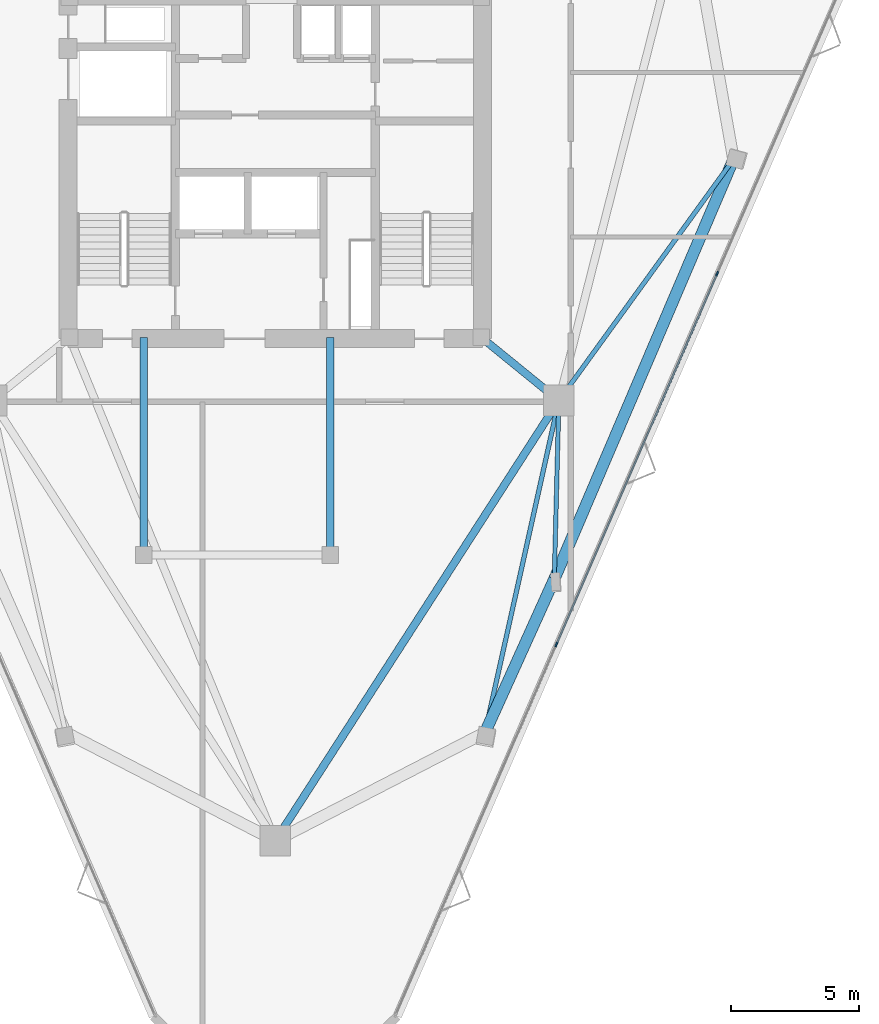
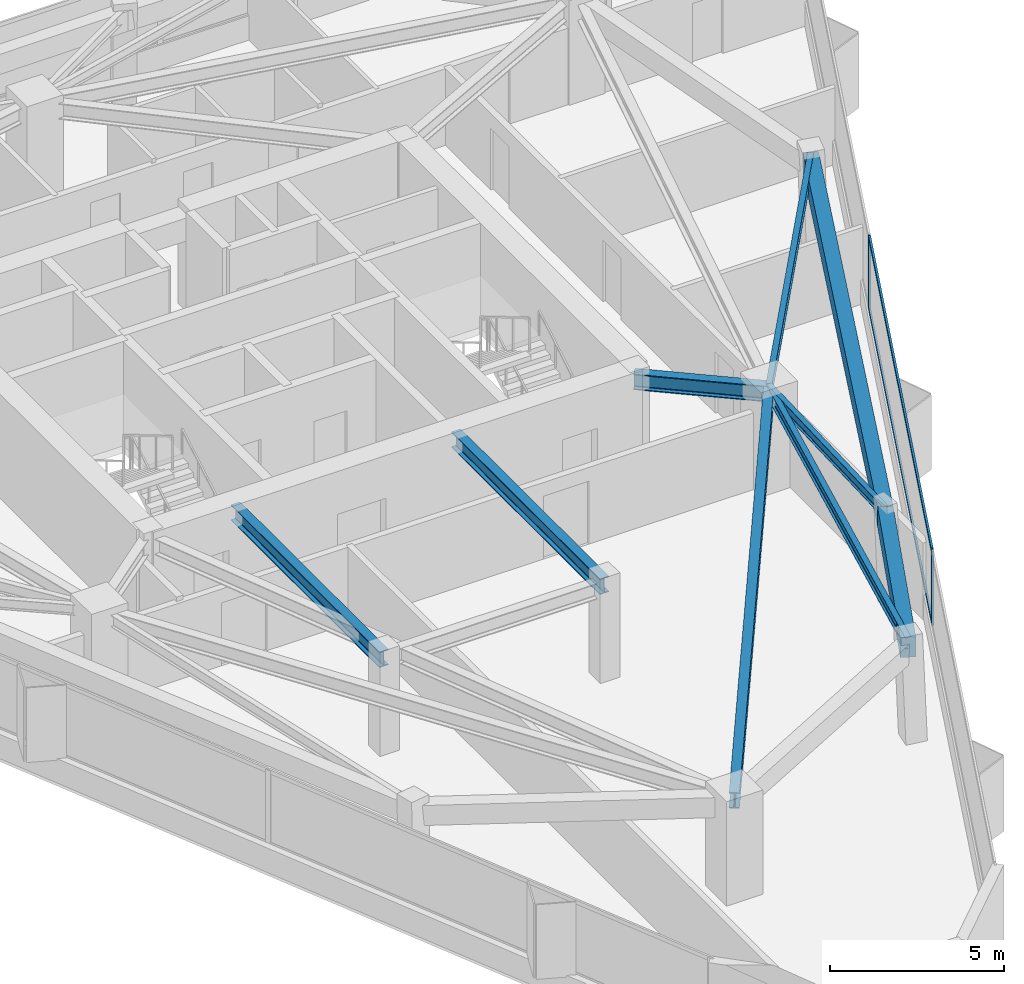
# One storey, part 4 of 11: 9 beams, 4 members, 1 element without a shape of its own.
"""IFC4 building model written with IfcOpenShell, lengths in metres."""

import ifcopenshell
import ifcopenshell.guid

model = None  # the IFC model being written
_history = None  # IfcOwnerHistory: only IFC2X3 demands one
_inside = {}  # id of a spatial element -> (the spatial element, [elements in it])
_under = {}  # id of a project, library or spatial element -> (it, [spatial elements below it])
_declared = {}  # id of a project -> (the project, [libraries it declares])
_typed = {}  # id of a type object -> (the type object, [elements of that type])
_made_of = {}  # id of a material, layer set ... -> (it, [elements and type objects made of it])


def new_model(schema):
    """Start an empty IFC model of exactly this schema.

    Asked for "IFC4X3", IfcOpenShell would pick the latest addendum, in which some entities
    have other attributes; the version numbers below select the first issue.
    IFC2X3 requires an IfcOwnerHistory on every rooted entity: one is made here for all.
    """
    global model, _history
    if schema == "IFC4X3":
        model = ifcopenshell.file(schema_version=(4, 3, 0, 0))
    else:
        model = ifcopenshell.file(schema=schema)
    _inside.clear()
    _under.clear()
    _declared.clear()
    _typed.clear()
    _made_of.clear()
    _history = None
    if model.schema == "IFC2X3":
        org = make("IfcOrganization", Name="unknown")
        user = make(
            "IfcPersonAndOrganization",
            ThePerson=make("IfcPerson", FamilyName="unknown"),
            TheOrganization=org,
        )
        app = make(
            "IfcApplication",
            ApplicationDeveloper=org,
            Version="unknown",
            ApplicationFullName="unknown",
            ApplicationIdentifier="unknown",
        )
        _history = make(
            "IfcOwnerHistory",
            OwningUser=user,
            OwningApplication=app,
            ChangeAction="ADDED",
            CreationDate=0,
        )
    return model


def make(cls, **values):
    """One entity of the class cls with the attributes given. An attribute that is None is left unset."""
    return model.create_entity(
        cls, **{name: value for name, value in values.items() if value is not None}
    )


def rooted(cls, **values):
    """An entity with a GlobalId (a new one), such as an element, a storey or a relation."""
    return make(cls, GlobalId=ifcopenshell.guid.new(), OwnerHistory=_history, **values)


def si_unit(unit_type, name, prefix=None):
    """IfcSIUnit, for example si_unit("LENGTHUNIT", "METRE", prefix="MILLI")."""
    return make("IfcSIUnit", UnitType=unit_type, Prefix=prefix, Name=name)


def assignment(units):
    """IfcUnitAssignment: the units of a project."""
    return None if units is None else make("IfcUnitAssignment", Units=units)


def point(xyz):
    """IfcCartesianPoint."""
    return None if xyz is None else make("IfcCartesianPoint", Coordinates=xyz)


def direction(xyz):
    """IfcDirection."""
    return None if xyz is None else make("IfcDirection", DirectionRatios=xyz)


def frame(location, z_axis=None, x_axis=None):
    """IfcAxis2Placement3D, a coordinate frame: its origin and axes. An axis left out is left unset."""
    return make(
        "IfcAxis2Placement3D",
        Location=point(location),
        Axis=direction(z_axis),
        RefDirection=direction(x_axis),
    )


def frame_2d(location, x_axis=None):
    """IfcAxis2Placement2D, a coordinate frame in the plane: its origin and x axis."""
    return make(
        "IfcAxis2Placement2D", Location=point(location), RefDirection=direction(x_axis)
    )


def origin():
    """The frame at (0, 0, 0) with its axes left unset."""
    return frame((0.0, 0.0, 0.0))


def origin_2d():
    """The frame at (0, 0) in the plane with its x axis left unset."""
    return frame_2d((0.0, 0.0))


def place(relative_to, where):
    """IfcLocalPlacement: puts the frame where relative to a parent placement (None: the world)."""
    return make(
        "IfcLocalPlacement", PlacementRelTo=relative_to, RelativePlacement=where
    )


def context(
    kind, dimensions, precision=None, world=None, true_north=None, identifier=None
):
    """IfcGeometricRepresentationContext, for example the 3D "Model" context."""
    return make(
        "IfcGeometricRepresentationContext",
        ContextIdentifier=identifier,
        ContextType=kind,
        CoordinateSpaceDimension=dimensions,
        Precision=precision,
        WorldCoordinateSystem=world,
        TrueNorth=true_north,
    )


def subcontext(parent, identifier, kind, view, scale=None):
    """IfcGeometricRepresentationSubContext, for example "Body" below "Model"."""
    return make(
        "IfcGeometricRepresentationSubContext",
        ContextIdentifier=identifier,
        ContextType=kind,
        ParentContext=parent,
        TargetScale=scale,
        TargetView=view,
    )


def project(units=None, contexts=None):
    """IfcProject with its units and contexts."""
    return rooted(
        "IfcProject",
        Name="project",
        RepresentationContexts=contexts,
        UnitsInContext=assignment(units),
    )


def spatial(cls, under=None, at=None, **own):
    """A site, building, storey or space (cls), placed at a placement, below another one or the project."""
    s = rooted(cls, ObjectPlacement=at, **own)
    if under is not None:
        _under.setdefault(under.id(), (under, []))[1].append(s)
    return s


def profile(cls, at=None, kind="AREA", **sizes):
    """A parametric profile (cls). Its sizes go by their IFC names, for example OverallWidth=200.0."""
    return make(cls, ProfileType=kind, Position=at, **sizes)


def rectangle(**sizes):
    """IfcRectangleProfileDef."""
    return profile("IfcRectangleProfileDef", **sizes)


def i_section(**sizes):
    """IfcIShapeProfileDef."""
    return profile("IfcIShapeProfileDef", **sizes)


def extrude(swept, where, along, depth):
    """IfcExtrudedAreaSolid: the profile swept, set in the frame where, extruded along a direction by depth."""
    return make(
        "IfcExtrudedAreaSolid",
        SweptArea=swept,
        Position=where,
        ExtrudedDirection=direction(along),
        Depth=depth,
    )


def shape(context_of_items, identifier, shape_type, items):
    """IfcShapeRepresentation: the items that make up one representation, for example the "Body"."""
    return make(
        "IfcShapeRepresentation",
        ContextOfItems=context_of_items,
        RepresentationIdentifier=identifier,
        RepresentationType=shape_type,
        Items=items,
    )


def material(Name=None, Category=None):
    """IfcMaterial."""
    return make("IfcMaterial", Name=Name, Category=Category)


def layer(
    of_material, thickness, ventilated=None, Name=None, Category=None, Priority=None
):
    """IfcMaterialLayer: one layer of a wall or slab, of a material (None: an air gap)."""
    return make(
        "IfcMaterialLayer",
        Material=of_material,
        LayerThickness=thickness,
        IsVentilated=ventilated,
        Name=Name,
        Category=Category,
        Priority=Priority,
    )


def layer_set(layers, Name=None):
    """IfcMaterialLayerSet."""
    return make("IfcMaterialLayerSet", MaterialLayers=layers, LayerSetName=Name)


def material_profile(
    of_material, cross_section, Name=None, Category=None, Priority=None
):
    """IfcMaterialProfile: a cross section and its material."""
    return make(
        "IfcMaterialProfile",
        Name=Name,
        Material=of_material,
        Profile=cross_section,
        Priority=Priority,
        Category=Category,
    )


def profile_set(profiles, Name=None, composite=None):
    """IfcMaterialProfileSet."""
    return make(
        "IfcMaterialProfileSet",
        Name=Name,
        MaterialProfiles=profiles,
        CompositeProfile=composite,
    )


def made_of(thing, what):
    """Note that an element or type object is made of a material, layer set ...; save() writes the relation."""
    if what is not None:
        _made_of.setdefault(what.id(), (what, []))[1].append(thing)
    return thing


def type_object(cls, material=None, **own):
    """A type object (cls), such as IfcWallType, which elements share."""
    return made_of(rooted(cls, **own), material)


def element(
    cls,
    number,
    at=None,
    inside=None,
    cuts=None,
    type_object=None,
    material=None,
    context=None,
    identifier="Body",
    shape_type=None,
    held_by="IfcProductDefinitionShape",
    body=None,
    shapes=None,
    **own,
):
    """One element of the class cls, such as IfcWall. Its Tag is "e" and its number.

    at: its placement. inside: the storey or other place that contains it. cuts: it is an
    opening in that element (IfcRelVoidsElement). A single representation is given by context,
    identifier, shape_type and body (its items); several are given by shapes. held_by: the class
    of the entity that holds the representations. save() writes the other relations.
    """
    e = rooted(cls, Tag="e%d" % number, ObjectPlacement=at, **own)
    if body is not None:
        shapes = [shape(context, identifier, shape_type, body)]
    if shapes is not None:
        e.Representation = make(held_by, Representations=shapes)
    if inside is not None:
        _inside.setdefault(inside.id(), (inside, []))[1].append(e)
    if cuts is not None:
        rooted(
            "IfcRelVoidsElement", RelatingBuildingElement=cuts, RelatedOpeningElement=e
        )
    if type_object is not None:
        _typed.setdefault(type_object.id(), (type_object, []))[1].append(e)
    return made_of(e, material)


def aggregate(whole, parts):
    """IfcRelAggregates: a whole, such as a stair, and the parts it consists of."""
    return rooted("IfcRelAggregates", RelatingObject=whole, RelatedObjects=parts)


def save(model, path):
    """Write the relations noted so far, then the file.

    IfcRelAggregates (storeys below a building ...), IfcRelContainedInSpatialStructure (elements
    in a storey), IfcRelDefinesByType, IfcRelAssociatesMaterial and IfcRelDeclares: one each for
    every whole, place, type object, material and project.
    """
    for whole, parts in _under.values():
        aggregate(whole, parts)
    for where, things in _inside.values():
        rooted(
            "IfcRelContainedInSpatialStructure",
            RelatedElements=things,
            RelatingStructure=where,
        )
    for kind, things in _typed.values():
        rooted("IfcRelDefinesByType", RelatedObjects=things, RelatingType=kind)
    for what, things in _made_of.values():
        rooted("IfcRelAssociatesMaterial", RelatedObjects=things, RelatingMaterial=what)
    for by, libraries in _declared.values():
        rooted("IfcRelDeclares", RelatingContext=by, RelatedDefinitions=libraries)
    model.write(path)


model = new_model("IFC4")

# Units and contexts
model_context = context("Model", 3, precision=1e-05, world=origin(), true_north=direction((0.0, 1.0)))
body_context = subcontext(model_context, "Body", "Model", "MODEL_VIEW")
ifc_project = project(units=[si_unit("LENGTHUNIT", "METRE"), si_unit("AREAUNIT", "SQUARE_METRE"), si_unit("VOLUMEUNIT", "CUBIC_METRE"), si_unit("PLANEANGLEUNIT", "RADIAN"), si_unit("MASSUNIT", "GRAM", prefix="KILO")], contexts=[model_context])

# Site, building, storey
site_placement = place(None, origin())
site = spatial("IfcSite", under=ifc_project, at=site_placement, CompositionType="ELEMENT")
building_placement = place(site_placement, origin())
building = spatial("IfcBuilding", under=site, at=building_placement, Name="Talyreon Biosciences Tower", CompositionType="ELEMENT")
storey_placement = place(building_placement, frame((0.0, 0.0, 238.89990234375)))
storey = spatial("IfcBuildingStorey", under=building, at=storey_placement, Name="L63", CompositionType="ELEMENT", Elevation=238.89990234375)

# Curtain wall, members
ifc_material_1 = material(Name="Thermally broken aluminium and low-E glazing", Category="aluminium")
ifc_layer = layer(ifc_material_1, 0.175048828125)
ifc_layer_set = layer_set([ifc_layer], Name="Thermally broken aluminium and low-E glazing")
curtain_wall_type = type_object("IfcCurtainWallType", Name="CurtainWall_Zone5CompLab", PredefinedType="NOTDEFINED", material=ifc_layer_set)
curtain_wall_placement = place(storey_placement, origin())
curtain_wall = element("IfcCurtainWall", 1, at=curtain_wall_placement, inside=storey, type_object=curtain_wall_type, Name="L63 Unitised Curtain Wall FCW-L63-08", PredefinedType="NOTDEFINED")
ifc_material_2 = material(Name="Anodised thermally broken aluminium", Category="aluminium")
ifc_material_profile_1 = material_profile(ifc_material_2, rectangle(XDim=0.06494140625, YDim=0.179931640625, at=origin_2d()), Name="ALUM MULLION 65x180")
ifc_profile_set_1 = profile_set([ifc_material_profile_1], Name="Anodised thermally broken aluminium")
member_type_1 = type_object("IfcMemberType", Name="CWMullion_65x180", PredefinedType="MULLION", material=ifc_profile_set_1)
member_1_placement = place(storey_placement, frame((83.27685546875, 63.8427734375, 0.81005859375), z_axis=(0.0, 0.0, 1.0), x_axis=(0.917458244079, -0.397832088162, 0.0)))
member_1 = element("IfcMember", 2, at=member_1_placement, type_object=member_type_1, Name="CW6 mullion 2", PredefinedType="MULLION", context=body_context, shape_type="SweptSolid", body=[
    extrude(rectangle(XDim=0.06494140625, YDim=0.179931640625, at=origin_2d()), origin(), (0.0, 0.0, 1.0), 2.590087890625),
])
member_2_placement = place(storey_placement, frame((76.987060546875, 49.337646484375, 0.81005859375), z_axis=(0.0, 0.0, 1.0), x_axis=(0.917458244079, -0.397832088162, 0.0)))
member_2 = element("IfcMember", 3, at=member_2_placement, type_object=member_type_1, Name="CW6 mullion 3", PredefinedType="MULLION", context=body_context, shape_type="SweptSolid", body=[
    extrude(rectangle(XDim=0.06494140625, YDim=0.179931640625, at=origin_2d()), origin(), (0.0, 0.0, 1.0), 2.590087890625),
])
ifc_material_profile_2 = material_profile(ifc_material_2, rectangle(XDim=0.06494140625, YDim=0.139892578125, at=origin_2d()), Name="ALUM TRANSOM 65x140")
ifc_profile_set_2 = profile_set([ifc_material_profile_2], Name="Anodised thermally broken aluminium")
member_type_2 = type_object("IfcMemberType", Name="CWTransom_65x140", PredefinedType="USERDEFINED", material=ifc_profile_set_2)
member_3_placement = place(storey_placement, frame((83.263916015625, 63.81298828125, 0.842529296875), z_axis=(-0.397830656241, -0.917458864993, 0.0), x_axis=(0.917458864993, -0.397830656241, 0.0)))
member_3 = element("IfcMember", 4, at=member_3_placement, type_object=member_type_2, Name="CW6 transom 2.1", ObjectType="TRANSOM", PredefinedType="USERDEFINED", context=body_context, shape_type="SweptSolid", body=[
    extrude(rectangle(XDim=0.06494140625, YDim=0.139892578125, at=origin_2d()), origin(), (0.0, 0.0, 1.0), 15.7451171875),
])
member_4_placement = place(storey_placement, frame((83.263916015625, 63.81298828125, 3.36767578125), z_axis=(-0.397830656241, -0.917458864993, 0.0), x_axis=(0.917458864993, -0.397830656241, 0.0)))
member_4 = element("IfcMember", 5, at=member_4_placement, type_object=member_type_2, Name="CW6 transom 2.2", ObjectType="TRANSOM", PredefinedType="USERDEFINED", context=body_context, shape_type="SweptSolid", body=[
    extrude(rectangle(XDim=0.06494140625, YDim=0.139892578125, at=origin_2d()), origin(), (0.0, 0.0, 1.0), 15.7451171875),
])
aggregate(curtain_wall, [member_1, member_2, member_3, member_4])

# Beams
ifc_material_3 = material(Name="Precast concrete C45/55", Category="concrete")
ifc_material_profile_3 = material_profile(ifc_material_3, rectangle(XDim=0.449951171875, YDim=0.699951171875, at=origin_2d()), Name="RCB 450x700")
ifc_profile_set_3 = profile_set([ifc_material_profile_3], Name="Precast concrete C45/55")
beam_type_1 = type_object("IfcBeamType", Name="ExpressedSpandrel_450x700", PredefinedType="SPANDREL", material=ifc_profile_set_3)
beam_1_placement = place(storey_placement, frame((74.19921875, 45.90087890625, 3.050048828125), z_axis=(0.411628498282, 0.911351731991, 0.0), x_axis=(-0.911351731991, 0.411628498282, 0.0)))
element("IfcBeam", 6, at=beam_1_placement, inside=storey, type_object=beam_type_1, Name="L63 Expressed Horizontal Concrete Spandrel 02", PredefinedType="SPANDREL", context=body_context, shape_type="SweptSolid", body=[
    extrude(rectangle(XDim=0.449951171875, YDim=0.699951171875, at=origin_2d()), origin(), (0.0, 0.0, 1.0), 6.576416015625),
])
beam_2_placement = place(storey_placement, frame((76.90625, 51.894287109375, 3.050048828125), z_axis=(0.392596523962, 0.919710807468, 0.0), x_axis=(-0.919710807468, 0.392596523962, 0.0)))
element("IfcBeam", 7, at=beam_2_placement, inside=storey, type_object=beam_type_1, Name="L63 Expressed Horizontal Concrete Spandrel 03", PredefinedType="SPANDREL", context=body_context, shape_type="SweptSolid", body=[
    extrude(rectangle(XDim=0.449951171875, YDim=0.699951171875, at=origin_2d()), origin(), (0.0, 0.0, 1.0), 17.84814453125),
])
ifc_material_4 = material(Name="Steel SM355", Category="steel")
ifc_material_profile_4 = material_profile(ifc_material_4, i_section(OverallWidth=0.300048828125, OverallDepth=0.550048828125, WebThickness=0.014892578125, FlangeThickness=0.029052734375, FilletRadius=0.027099609375, at=origin_2d()), Name="HE550B")
ifc_profile_set_4 = profile_set([ifc_material_profile_4], Name="Steel SM355")
beam_type_2 = type_object("IfcBeamType", Name="SteelBeam_HE550B", PredefinedType="BEAM", material=ifc_profile_set_4)
beam_3_placement = place(storey_placement, frame((66.0, 41.6669921875, 3.125), z_axis=(0.541463723609, 0.840724114092, 0.0), x_axis=(-0.840724114092, 0.541463723609, 0.0)))
element("IfcBeam", 8, at=beam_3_placement, inside=storey, type_object=beam_type_2, Name="L63 Mega-Ring Girder 1", PredefinedType="BEAM", context=body_context, shape_type="SweptSolid", body=[
    extrude(i_section(OverallWidth=0.300048828125, OverallDepth=0.550048828125, WebThickness=0.014892578125, FlangeThickness=0.029052734375, FilletRadius=0.027099609375, at=origin_2d()), origin(), (0.0, 0.0, 1.0), 20.474365234375),
])
beam_4_placement = place(storey_placement, frame((74.050048828125, 61.35009765625, 3.125), z_axis=(0.775755154013, -0.631034025249, 0.0), x_axis=(0.631034025249, 0.775755154013, 0.0)))
element("IfcBeam", 9, at=beam_4_placement, inside=storey, type_object=beam_type_2, Name="L63 Radial Primary Girder 2", PredefinedType="BEAM", context=body_context, shape_type="SweptSolid", body=[
    extrude(i_section(OverallWidth=0.300048828125, OverallDepth=0.550048828125, WebThickness=0.014892578125, FlangeThickness=0.029052734375, FilletRadius=0.027099609375, at=origin_2d()), origin(), (0.0, 0.0, 1.0), 3.913818359375),
])
for number, where, z_axis, x_axis, name in (
    (10, (60.85009765625, 52.840087890625, 3.125), (0.0, 1.0, 0.0), (-1.0, 0.0, 0.0), "L63 Crown Shaft Tie Girder W"),
    (11, (68.14990234375, 52.840087890625, 3.125), (0.0, 1.0, 0.0), (-1.0, 0.0, 0.0), "L63 Crown Shaft Tie Girder E"),
):
    element("IfcBeam", number, at=place(storey_placement, frame(where, z_axis=z_axis, x_axis=x_axis)), inside=storey, type_object=beam_type_2, Name=name, PredefinedType="BEAM", context=body_context, shape_type="SweptSolid", body=[
        extrude(i_section(OverallWidth=0.300048828125, OverallDepth=0.550048828125, WebThickness=0.014892578125, FlangeThickness=0.029052734375, FilletRadius=0.027099609375, at=origin_2d()), origin(), (0.0, 0.0, 1.0), 8.510009765625),
    ])
ifc_material_profile_5 = material_profile(ifc_material_4, i_section(OverallWidth=0.169921875, OverallDepth=0.360107421875, WebThickness=0.008056640625, FlangeThickness=0.0126953125, FilletRadius=0.01806640625, at=origin_2d()), Name="IPE360")
ifc_profile_set_5 = profile_set([ifc_material_profile_5], Name="Steel SM355")
beam_type_3 = type_object("IfcBeamType", Name="SteelJoist_IPE360", PredefinedType="JOIST", material=ifc_profile_set_5)
beam_5_placement = place(storey_placement, frame((77.086181640625, 58.88037109375, 3.22021484375), z_axis=(-0.025747184148, -0.999668486304, 0.0), x_axis=(0.999668486304, -0.025747184148, 0.0)))
element("IfcBeam", 12, at=beam_5_placement, inside=storey, type_object=beam_type_3, Name="L63 Radial Composite Floor Joist PL-SE", PredefinedType="JOIST", context=body_context, shape_type="SweptSolid", body=[
    extrude(i_section(OverallWidth=0.169921875, OverallDepth=0.360107421875, WebThickness=0.008056640625, FlangeThickness=0.0126953125, FilletRadius=0.01806640625, at=origin_2d()), origin(), (0.0, 0.0, 1.0), 6.98828125),
])
ifc_material_profile_6 = material_profile(ifc_material_4, i_section(OverallWidth=0.179931640625, OverallDepth=0.39990234375, WebThickness=0.008544921875, FlangeThickness=0.013427734375, FilletRadius=0.02099609375, at=origin_2d()), Name="IPE400")
ifc_profile_set_6 = profile_set([ifc_material_profile_6], Name="Steel SM355")
beam_type_4 = type_object("IfcBeamType", Name="SteelJoist_IPE400", PredefinedType="JOIST", material=ifc_profile_set_6)
beam_6_placement = place(storey_placement, frame((77.086181640625, 58.88037109375, 3.2001953125), z_axis=(-0.217119032222, -0.976145135647, 0.0), x_axis=(0.976145135647, -0.217119032222, 0.0)))
element("IfcBeam", 13, at=beam_6_placement, inside=storey, type_object=beam_type_4, Name="L63 Radial Composite Floor Joist PC-SE1", PredefinedType="JOIST", context=body_context, shape_type="SweptSolid", body=[
    extrude(i_section(OverallWidth=0.179931640625, OverallDepth=0.39990234375, WebThickness=0.008544921875, FlangeThickness=0.013427734375, FilletRadius=0.02099609375, at=origin_2d()), origin(), (0.0, 0.0, 1.0), 13.296630859375),
])
beam_7_placement = place(storey_placement, frame((77.086181640625, 58.88037109375, 3.2001953125), z_axis=(0.586469486365, 0.809971321445, 0.0), x_axis=(-0.809971321445, 0.586469486365, 0.0)))
element("IfcBeam", 14, at=beam_7_placement, inside=storey, type_object=beam_type_4, Name="L63 Radial Composite Floor Joist PC-SE2", PredefinedType="JOIST", context=body_context, shape_type="SweptSolid", body=[
    extrude(i_section(OverallWidth=0.179931640625, OverallDepth=0.39990234375, WebThickness=0.008544921875, FlangeThickness=0.013427734375, FilletRadius=0.02099609375, at=origin_2d()), origin(), (0.0, 0.0, 1.0), 11.64111328125),
])

save(model, "model.ifc")
